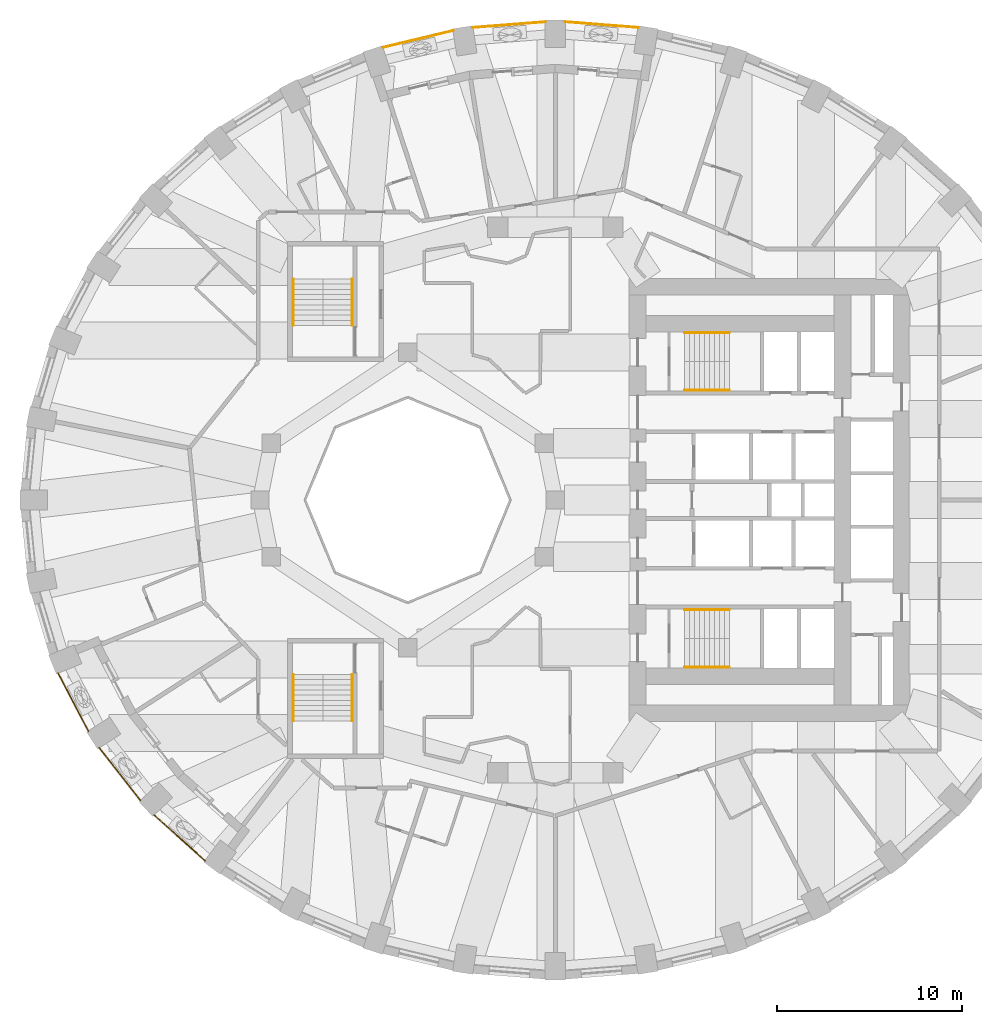
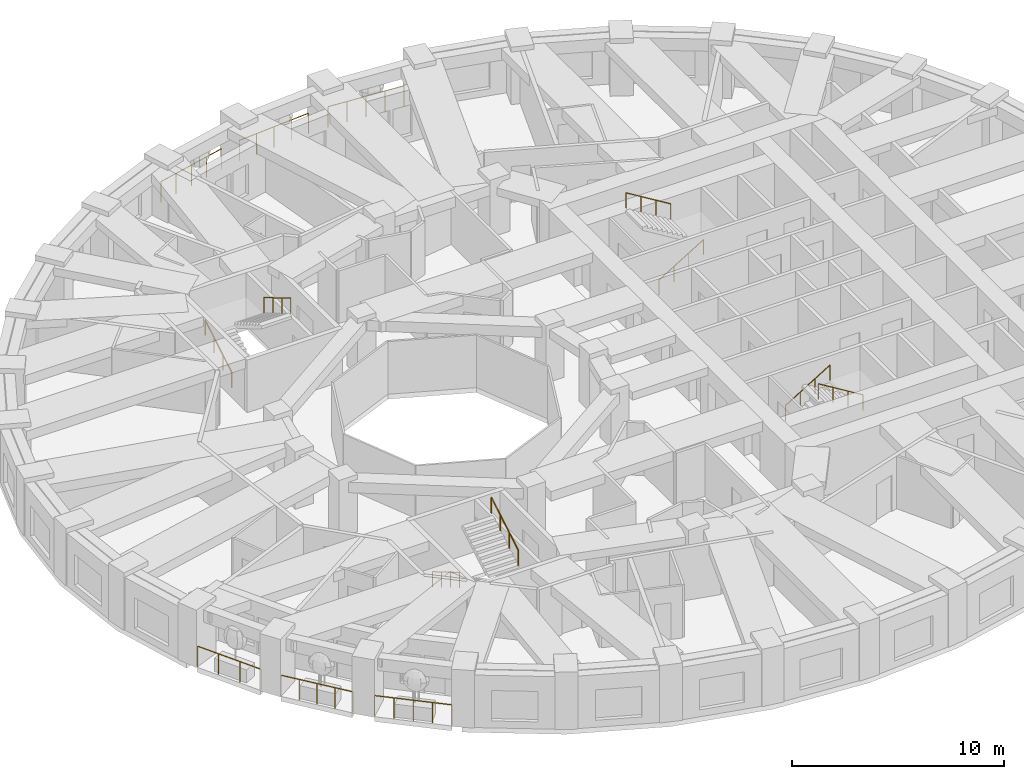
# One storey, part 11 of 13: 14 railings.
"""IFC4 building model written with IfcOpenShell, lengths in metres."""

from ifc_helpers import new_model, si_unit, direction, frame, origin, origin_2d, place, context, subcontext, project, spatial, circle, extrude, material, type_object, element, save


model = new_model("IFC4")

# Units and contexts
model_context = context("Model", 3, precision=1e-05, world=origin(), true_north=direction((0.0, 1.0)))
body_context = subcontext(model_context, "Body", "Model", "MODEL_VIEW")
ifc_project = project(units=[si_unit("LENGTHUNIT", "METRE"), si_unit("AREAUNIT", "SQUARE_METRE"), si_unit("VOLUMEUNIT", "CUBIC_METRE"), si_unit("PLANEANGLEUNIT", "RADIAN"), si_unit("MASSUNIT", "GRAM", prefix="KILO")], contexts=[model_context])

# Site, building, storey
site_placement = place(None, origin())
site = spatial("IfcSite", under=ifc_project, at=site_placement, CompositionType="ELEMENT")
building_placement = place(site_placement, origin())
building = spatial("IfcBuilding", under=site, at=building_placement, Name="Taillehof Tower", CompositionType="ELEMENT")
storey_placement = place(building_placement, frame((0.0, 0.0, 54.699951171875)))
storey = spatial("IfcBuildingStorey", under=building, at=storey_placement, Name="L14", CompositionType="ELEMENT", Elevation=54.699951171875)

# Railings
ifc_material_1 = material(Name="Stainless steel balustrade", Category="steel")
railing_type_1 = type_object("IfcRailingType", Name="Balcony guard 1200", PredefinedType="GUARDRAIL", material=ifc_material_1)
railing_1_placement = place(storey_placement, frame((4.483154296875, 25.589111328125, 0.0)))
element("IfcRailing", 1, at=railing_1_placement, inside=storey, type_object=railing_type_1, Name="Balcony guard L14 bay 9", PredefinedType="GUARDRAIL", context=body_context, shape_type="SweptSolid", body=[
    extrude(circle(Radius=0.02392578125, at=origin_2d()), frame((0.0, 0.0, 1.17578125), z_axis=(-0.996952571778, 0.078010061045, 0.0), x_axis=(-0.078010061045, -0.996952571778, 0.0)), (0.0, 0.0, 1.0), 3.965087890625),
    extrude(circle(Radius=0.02099609375, at=origin_2d()), origin(), (0.0, 0.0, 1.0), 1.15185546875),
    extrude(circle(Radius=0.02099609375, at=origin_2d()), frame((-0.98828125, 0.077392578125, 0.0)), (0.0, 0.0, 1.0), 1.15185546875),
    extrude(circle(Radius=0.02099609375, at=origin_2d()), frame((-1.9765625, 0.15478515625, 0.0)), (0.0, 0.0, 1.0), 1.15185546875),
    extrude(circle(Radius=0.02099609375, at=origin_2d()), frame((-2.96484375, 0.23193359375, 0.0)), (0.0, 0.0, 1.0), 1.15185546875),
    extrude(circle(Radius=0.02099609375, at=origin_2d()), frame((-3.953125, 0.309326171875, 0.0)), (0.0, 0.0, 1.0), 1.15185546875),
])
railing_2_placement = place(storey_placement, frame((-0.530029296875, 25.8984375, 0.0)))
element("IfcRailing", 2, at=railing_2_placement, inside=storey, type_object=railing_type_1, Name="Balcony guard L14 bay 10", PredefinedType="GUARDRAIL", context=body_context, shape_type="SweptSolid", body=[
    extrude(circle(Radius=0.02392578125, at=origin_2d()), frame((0.0, 0.0, 1.17578125), z_axis=(-0.996952571778, -0.078010061045, 0.0), x_axis=(0.078010061045, -0.996952571778, 0.0)), (0.0, 0.0, 1.0), 3.965087890625),
    extrude(circle(Radius=0.02099609375, at=origin_2d()), origin(), (0.0, 0.0, 1.0), 1.15185546875),
    extrude(circle(Radius=0.02099609375, at=origin_2d()), frame((-0.98828125, -0.077392578125, 0.0)), (0.0, 0.0, 1.0), 1.15185546875),
    extrude(circle(Radius=0.02099609375, at=origin_2d()), frame((-1.9765625, -0.15478515625, 0.0)), (0.0, 0.0, 1.0), 1.15185546875),
    extrude(circle(Radius=0.02099609375, at=origin_2d()), frame((-2.96484375, -0.23193359375, 0.0)), (0.0, 0.0, 1.0), 1.15185546875),
    extrude(circle(Radius=0.02099609375, at=origin_2d()), frame((-3.953125, -0.309326171875, 0.0)), (0.0, 0.0, 1.0), 1.15185546875),
])
railing_3_placement = place(storey_placement, frame((-5.5302734375, 25.423828125, 0.0)))
element("IfcRailing", 3, at=railing_3_placement, inside=storey, type_object=railing_type_1, Name="Balcony guard L14 bay 11", PredefinedType="GUARDRAIL", context=body_context, shape_type="SweptSolid", body=[
    extrude(circle(Radius=0.02392578125, at=origin_2d()), frame((0.0, 0.0, 1.17578125), z_axis=(-0.972495275648, -0.232922602687, 0.0), x_axis=(0.232922602687, -0.972495275648, 0.0)), (0.0, 0.0, 1.0), 3.93701171875),
    extrude(circle(Radius=0.02099609375, at=origin_2d()), origin(), (0.0, 0.0, 1.0), 1.15185546875),
    extrude(circle(Radius=0.02099609375, at=origin_2d()), frame((-0.95703125, -0.229248046875, 0.0)), (0.0, 0.0, 1.0), 1.15185546875),
    extrude(circle(Radius=0.02099609375, at=origin_2d()), frame((-1.914306640625, -0.45849609375, 0.0)), (0.0, 0.0, 1.0), 1.15185546875),
    extrude(circle(Radius=0.02099609375, at=origin_2d()), frame((-2.87158203125, -0.687744140625, 0.0)), (0.0, 0.0, 1.0), 1.15185546875),
    extrude(circle(Radius=0.02099609375, at=origin_2d()), frame((-3.82861328125, -0.9169921875, 0.0)), (0.0, 0.0, 1.0), 1.15185546875),
])
railing_4_placement = place(storey_placement, frame((-26.939208984375, -9.36767578125, 0.0)))
element("IfcRailing", 4, at=railing_4_placement, inside=storey, type_object=railing_type_1, Name="Balcony guard L14 bay 21", PredefinedType="GUARDRAIL", context=body_context, shape_type="SweptSolid", body=[
    extrude(circle(Radius=0.02392578125, at=origin_2d()), frame((0.0, 0.0, 1.17578125), z_axis=(0.462523854419, -0.886606837382, 0.0), x_axis=(0.886606837382, 0.462523854419, 0.0)), (0.0, 0.0, 1.0), 3.56298828125),
    extrude(circle(Radius=0.02099609375, at=origin_2d()), origin(), (0.0, 0.0, 1.0), 1.15185546875),
    extrude(circle(Radius=0.02099609375, at=origin_2d()), frame((0.54931640625, -1.052978515625, 0.0)), (0.0, 0.0, 1.0), 1.15185546875),
    extrude(circle(Radius=0.02099609375, at=origin_2d()), frame((1.0986328125, -2.10595703125, 0.0)), (0.0, 0.0, 1.0), 1.15185546875),
    extrude(circle(Radius=0.02099609375, at=origin_2d()), frame((1.64794921875, -3.158935546875, 0.0)), (0.0, 0.0, 1.0), 1.15185546875),
])
railing_5_placement = place(storey_placement, frame((-24.716796875, -13.41748046875, 0.0)))
element("IfcRailing", 5, at=railing_5_placement, inside=storey, type_object=railing_type_1, Name="Balcony guard L14 bay 22", PredefinedType="GUARDRAIL", context=body_context, shape_type="SweptSolid", body=[
    extrude(circle(Radius=0.02392578125, at=origin_2d()), frame((0.0, 0.0, 1.17578125), z_axis=(0.616653661131, -0.787234566196, 0.0), x_axis=(0.787234566196, 0.616653661131, 0.0)), (0.0, 0.0, 1.0), 3.6396484375),
    extrude(circle(Radius=0.02099609375, at=origin_2d()), origin(), (0.0, 0.0, 1.0), 1.15185546875),
    extrude(circle(Radius=0.02099609375, at=origin_2d()), frame((0.56103515625, -0.71630859375, 0.0)), (0.0, 0.0, 1.0), 1.15185546875),
    extrude(circle(Radius=0.02099609375, at=origin_2d()), frame((1.1220703125, -1.4326171875, 0.0)), (0.0, 0.0, 1.0), 1.15185546875),
    extrude(circle(Radius=0.02099609375, at=origin_2d()), frame((1.683349609375, -2.14892578125, 0.0)), (0.0, 0.0, 1.0), 1.15185546875),
    extrude(circle(Radius=0.02099609375, at=origin_2d()), frame((2.244384765625, -2.865234375, 0.0)), (0.0, 0.0, 1.0), 1.15185546875),
])
railing_6_placement = place(storey_placement, frame((-21.74755859375, -17.056396484375, 0.0)))
element("IfcRailing", 6, at=railing_6_placement, inside=storey, type_object=railing_type_1, Name="Balcony guard L14 bay 23", PredefinedType="GUARDRAIL", context=body_context, shape_type="SweptSolid", body=[
    extrude(circle(Radius=0.02392578125, at=origin_2d()), frame((0.0, 0.0, 1.17578125), z_axis=(0.745548021299, -0.666451909696, 0.0), x_axis=(0.666451909696, 0.745548021299, 0.0)), (0.0, 0.0, 1.0), 3.7255859375),
    extrude(circle(Radius=0.02099609375, at=origin_2d()), origin(), (0.0, 0.0, 1.0), 1.15185546875),
    extrude(circle(Radius=0.02099609375, at=origin_2d()), frame((0.6943359375, -0.62060546875, 0.0)), (0.0, 0.0, 1.0), 1.15185546875),
    extrude(circle(Radius=0.02099609375, at=origin_2d()), frame((1.388671875, -1.241455078125, 0.0)), (0.0, 0.0, 1.0), 1.15185546875),
    extrude(circle(Radius=0.02099609375, at=origin_2d()), frame((2.083251953125, -1.8623046875, 0.0)), (0.0, 0.0, 1.0), 1.15185546875),
    extrude(circle(Radius=0.02099609375, at=origin_2d()), frame((2.777587890625, -2.48291015625, 0.0)), (0.0, 0.0, 1.0), 1.15185546875),
])
ifc_material_2 = material(Name="Stainless steel", Category="steel")
railing_type_2 = type_object("IfcRailingType", Name="Stair handrail 900", PredefinedType="HANDRAIL", material=ifc_material_2)
railing_7_placement = place(storey_placement, frame((7.0, 5.949951171875, 0.1650390625)))
element("IfcRailing", 7, at=railing_7_placement, inside=storey, type_object=railing_type_2, Name="Stair S1 handrail", PredefinedType="HANDRAIL", context=body_context, shape_type="SweptSolid", body=[
    extrude(circle(Radius=0.02392578125, at=origin_2d()), frame((0.0, 0.0, 0.8759765625), z_axis=(0.853258522278, 0.0, 0.521488153423), x_axis=(0.0, 1.0, 0.0)), (0.0, 0.0, 1.0), 2.847900390625),
    extrude(circle(Radius=0.02099609375, at=origin_2d()), origin(), (0.0, 0.0, 1.0), 0.851806640625),
    extrude(circle(Radius=0.02099609375, at=origin_2d()), frame((0.81005859375, 0.0, 0.4951171875)), (0.0, 0.0, 1.0), 0.851806640625),
    extrude(circle(Radius=0.02099609375, at=origin_2d()), frame((1.619873046875, 0.0, 0.989990234375)), (0.0, 0.0, 1.0), 0.851806640625),
    extrude(circle(Radius=0.02099609375, at=origin_2d()), frame((2.429931640625, 0.0, 1.485107421875)), (0.0, 0.0, 1.0), 0.851806640625),
])
railing_8_placement = place(storey_placement, frame((9.429931640625, 9.050048828125, 1.81494140625)))
element("IfcRailing", 8, at=railing_8_placement, inside=storey, type_object=railing_type_2, Name="Stair S1 handrail", PredefinedType="HANDRAIL", context=body_context, shape_type="SweptSolid", body=[
    extrude(circle(Radius=0.02392578125, at=origin_2d()), frame((0.0, 0.0, 0.8759765625), z_axis=(-0.853258522278, 0.0, 0.521488153423), x_axis=(0.0, -1.0, 0.0)), (0.0, 0.0, 1.0), 2.847900390625),
    extrude(circle(Radius=0.02099609375, at=origin_2d()), origin(), (0.0, 0.0, 1.0), 0.851806640625),
    extrude(circle(Radius=0.02099609375, at=origin_2d()), frame((-0.81005859375, 0.0, 0.4951171875)), (0.0, 0.0, 1.0), 0.851806640625),
    extrude(circle(Radius=0.02099609375, at=origin_2d()), frame((-1.619873046875, 0.0, 0.989990234375)), (0.0, 0.0, 1.0), 0.851806640625),
    extrude(circle(Radius=0.02099609375, at=origin_2d()), frame((-2.429931640625, 0.0, 1.485107421875)), (0.0, 0.0, 1.0), 0.851806640625),
])
railing_9_placement = place(storey_placement, frame((7.0, -5.949951171875, 0.1650390625)))
element("IfcRailing", 9, at=railing_9_placement, inside=storey, type_object=railing_type_2, Name="Stair S2 handrail", PredefinedType="HANDRAIL", context=body_context, shape_type="SweptSolid", body=[
    extrude(circle(Radius=0.02392578125, at=origin_2d()), frame((0.0, 0.0, 0.8759765625), z_axis=(0.853258522278, 0.0, 0.521488153423), x_axis=(0.0, 1.0, 0.0)), (0.0, 0.0, 1.0), 2.847900390625),
    extrude(circle(Radius=0.02099609375, at=origin_2d()), origin(), (0.0, 0.0, 1.0), 0.851806640625),
    extrude(circle(Radius=0.02099609375, at=origin_2d()), frame((0.81005859375, 0.0, 0.4951171875)), (0.0, 0.0, 1.0), 0.851806640625),
    extrude(circle(Radius=0.02099609375, at=origin_2d()), frame((1.619873046875, 0.0, 0.989990234375)), (0.0, 0.0, 1.0), 0.851806640625),
    extrude(circle(Radius=0.02099609375, at=origin_2d()), frame((2.429931640625, 0.0, 1.485107421875)), (0.0, 0.0, 1.0), 0.851806640625),
])
railing_10_placement = place(storey_placement, frame((9.429931640625, -9.050048828125, 1.81494140625)))
element("IfcRailing", 10, at=railing_10_placement, inside=storey, type_object=railing_type_2, Name="Stair S2 handrail", PredefinedType="HANDRAIL", context=body_context, shape_type="SweptSolid", body=[
    extrude(circle(Radius=0.02392578125, at=origin_2d()), frame((0.0, 0.0, 0.8759765625), z_axis=(-0.853258522278, 0.0, 0.521488153423), x_axis=(0.0, -1.0, 0.0)), (0.0, 0.0, 1.0), 2.847900390625),
    extrude(circle(Radius=0.02099609375, at=origin_2d()), origin(), (0.0, 0.0, 1.0), 0.851806640625),
    extrude(circle(Radius=0.02099609375, at=origin_2d()), frame((-0.81005859375, 0.0, 0.4951171875)), (0.0, 0.0, 1.0), 0.851806640625),
    extrude(circle(Radius=0.02099609375, at=origin_2d()), frame((-1.619873046875, 0.0, 0.989990234375)), (0.0, 0.0, 1.0), 0.851806640625),
    extrude(circle(Radius=0.02099609375, at=origin_2d()), frame((-2.429931640625, 0.0, 1.485107421875)), (0.0, 0.0, 1.0), 0.851806640625),
])
railing_11_placement = place(storey_placement, frame((-14.199951171875, 9.449951171875, 0.1650390625)))
element("IfcRailing", 11, at=railing_11_placement, inside=storey, type_object=railing_type_2, Name="Stair S3 handrail", PredefinedType="HANDRAIL", context=body_context, shape_type="SweptSolid", body=[
    extrude(circle(Radius=0.02392578125, at=origin_2d()), frame((0.0, 0.0, 0.8759765625), z_axis=(0.0, 0.86152411907, 0.507716645641), x_axis=(-1.0, 0.0, 0.0)), (0.0, 0.0, 1.0), 2.925048828125),
    extrude(circle(Radius=0.02099609375, at=origin_2d()), origin(), (0.0, 0.0, 1.0), 0.851806640625),
    extrude(circle(Radius=0.02099609375, at=origin_2d()), frame((0.0, 0.840087890625, 0.4951171875)), (0.0, 0.0, 1.0), 0.851806640625),
    extrude(circle(Radius=0.02099609375, at=origin_2d()), frame((0.0, 1.679931640625, 0.989990234375)), (0.0, 0.0, 1.0), 0.851806640625),
    extrude(circle(Radius=0.02099609375, at=origin_2d()), frame((0.0, 2.52001953125, 1.485107421875)), (0.0, 0.0, 1.0), 0.851806640625),
])
for number, where, name in (
    (12, (-11.0, 11.969970703125, 1.81494140625), "Stair S3 handrail"),
    (13, (-14.199951171875, -9.449951171875, 0.1650390625), "Stair S4 handrail"),
):
    element("IfcRailing", number, at=place(storey_placement, frame(where)), inside=storey, type_object=railing_type_2, Name=name, PredefinedType="HANDRAIL", context=body_context, shape_type="SweptSolid", body=[
        extrude(circle(Radius=0.02392578125, at=origin_2d()), frame((0.0, 0.0, 0.8759765625), z_axis=(0.0, -0.86152411907, 0.507716645641), x_axis=(1.0, 0.0, 0.0)), (0.0, 0.0, 1.0), 2.925048828125),
        extrude(circle(Radius=0.02099609375, at=origin_2d()), origin(), (0.0, 0.0, 1.0), 0.851806640625),
        extrude(circle(Radius=0.02099609375, at=origin_2d()), frame((0.0, -0.840087890625, 0.4951171875)), (0.0, 0.0, 1.0), 0.851806640625),
        extrude(circle(Radius=0.02099609375, at=origin_2d()), frame((0.0, -1.679931640625, 0.989990234375)), (0.0, 0.0, 1.0), 0.851806640625),
        extrude(circle(Radius=0.02099609375, at=origin_2d()), frame((0.0, -2.52001953125, 1.485107421875)), (0.0, 0.0, 1.0), 0.851806640625),
    ])
railing_12_placement = place(storey_placement, frame((-11.0, -11.969970703125, 1.81494140625)))
element("IfcRailing", 14, at=railing_12_placement, inside=storey, type_object=railing_type_2, Name="Stair S4 handrail", PredefinedType="HANDRAIL", context=body_context, shape_type="SweptSolid", body=[
    extrude(circle(Radius=0.02392578125, at=origin_2d()), frame((0.0, 0.0, 0.8759765625), z_axis=(0.0, 0.86152411907, 0.507716645641), x_axis=(-1.0, 0.0, 0.0)), (0.0, 0.0, 1.0), 2.925048828125),
    extrude(circle(Radius=0.02099609375, at=origin_2d()), origin(), (0.0, 0.0, 1.0), 0.851806640625),
    extrude(circle(Radius=0.02099609375, at=origin_2d()), frame((0.0, 0.840087890625, 0.4951171875)), (0.0, 0.0, 1.0), 0.851806640625),
    extrude(circle(Radius=0.02099609375, at=origin_2d()), frame((0.0, 1.679931640625, 0.989990234375)), (0.0, 0.0, 1.0), 0.851806640625),
    extrude(circle(Radius=0.02099609375, at=origin_2d()), frame((0.0, 2.52001953125, 1.485107421875)), (0.0, 0.0, 1.0), 0.851806640625),
])

save(model, "model.ifc")
